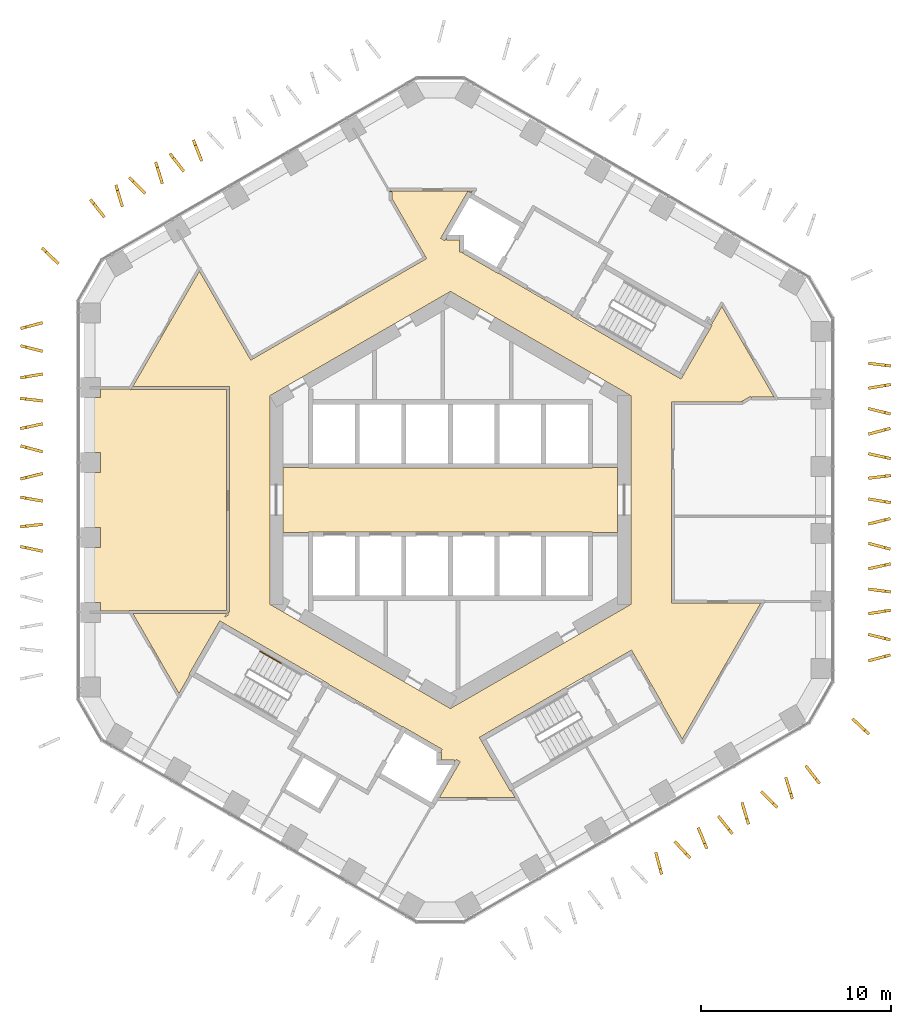
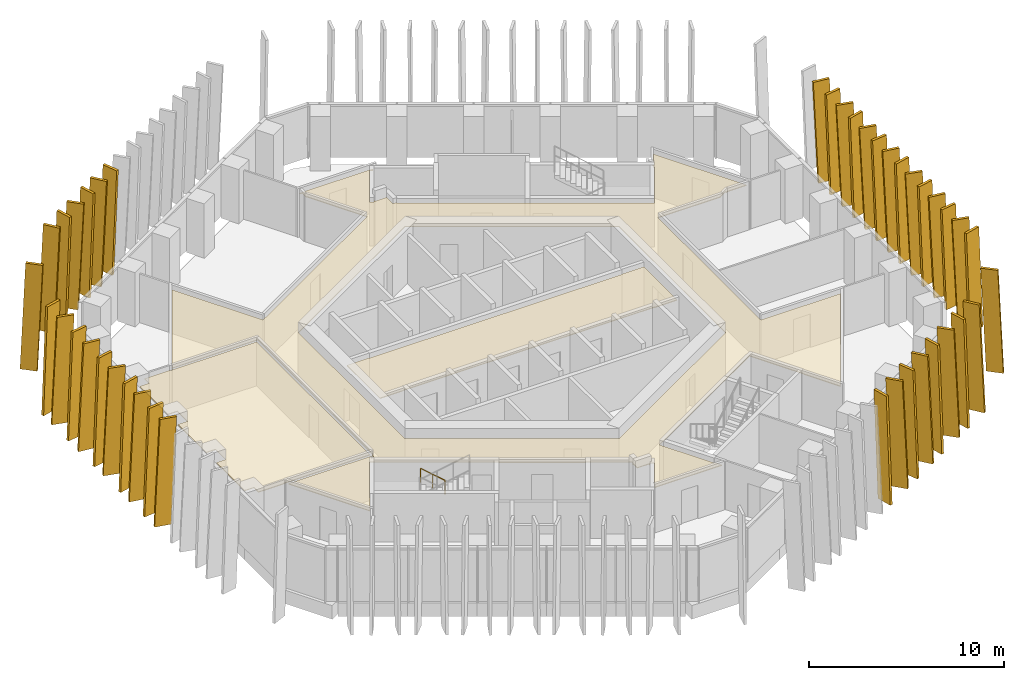
# One storey, part 18 of 19: 40 shading devices, 3 coverings, 1 railing.
"""IFC4 building model written with IfcOpenShell, lengths in metres."""

import ifcopenshell
import ifcopenshell.guid

model = None  # the IFC model being written
_history = None  # IfcOwnerHistory: only IFC2X3 demands one
_inside = {}  # id of a spatial element -> (the spatial element, [elements in it])
_under = {}  # id of a project, library or spatial element -> (it, [spatial elements below it])
_declared = {}  # id of a project -> (the project, [libraries it declares])
_typed = {}  # id of a type object -> (the type object, [elements of that type])
_made_of = {}  # id of a material, layer set ... -> (it, [elements and type objects made of it])


def new_model(schema):
    """Start an empty IFC model of exactly this schema.

    Asked for "IFC4X3", IfcOpenShell would pick the latest addendum, in which some entities
    have other attributes; the version numbers below select the first issue.
    IFC2X3 requires an IfcOwnerHistory on every rooted entity: one is made here for all.
    """
    global model, _history
    if schema == "IFC4X3":
        model = ifcopenshell.file(schema_version=(4, 3, 0, 0))
    else:
        model = ifcopenshell.file(schema=schema)
    _inside.clear()
    _under.clear()
    _declared.clear()
    _typed.clear()
    _made_of.clear()
    _history = None
    if model.schema == "IFC2X3":
        org = make("IfcOrganization", Name="unknown")
        user = make(
            "IfcPersonAndOrganization",
            ThePerson=make("IfcPerson", FamilyName="unknown"),
            TheOrganization=org,
        )
        app = make(
            "IfcApplication",
            ApplicationDeveloper=org,
            Version="unknown",
            ApplicationFullName="unknown",
            ApplicationIdentifier="unknown",
        )
        _history = make(
            "IfcOwnerHistory",
            OwningUser=user,
            OwningApplication=app,
            ChangeAction="ADDED",
            CreationDate=0,
        )
    return model


def make(cls, **values):
    """One entity of the class cls with the attributes given. An attribute that is None is left unset."""
    return model.create_entity(
        cls, **{name: value for name, value in values.items() if value is not None}
    )


def rooted(cls, **values):
    """An entity with a GlobalId (a new one), such as an element, a storey or a relation."""
    return make(cls, GlobalId=ifcopenshell.guid.new(), OwnerHistory=_history, **values)


def si_unit(unit_type, name, prefix=None):
    """IfcSIUnit, for example si_unit("LENGTHUNIT", "METRE", prefix="MILLI")."""
    return make("IfcSIUnit", UnitType=unit_type, Prefix=prefix, Name=name)


def assignment(units):
    """IfcUnitAssignment: the units of a project."""
    return None if units is None else make("IfcUnitAssignment", Units=units)


def point(xyz):
    """IfcCartesianPoint."""
    return None if xyz is None else make("IfcCartesianPoint", Coordinates=xyz)


def direction(xyz):
    """IfcDirection."""
    return None if xyz is None else make("IfcDirection", DirectionRatios=xyz)


def frame(location, z_axis=None, x_axis=None):
    """IfcAxis2Placement3D, a coordinate frame: its origin and axes. An axis left out is left unset."""
    return make(
        "IfcAxis2Placement3D",
        Location=point(location),
        Axis=direction(z_axis),
        RefDirection=direction(x_axis),
    )


def frame_2d(location, x_axis=None):
    """IfcAxis2Placement2D, a coordinate frame in the plane: its origin and x axis."""
    return make(
        "IfcAxis2Placement2D", Location=point(location), RefDirection=direction(x_axis)
    )


def origin():
    """The frame at (0, 0, 0) with its axes left unset."""
    return frame((0.0, 0.0, 0.0))


def origin_2d():
    """The frame at (0, 0) in the plane with its x axis left unset."""
    return frame_2d((0.0, 0.0))


def place(relative_to, where):
    """IfcLocalPlacement: puts the frame where relative to a parent placement (None: the world)."""
    return make(
        "IfcLocalPlacement", PlacementRelTo=relative_to, RelativePlacement=where
    )


def context(
    kind, dimensions, precision=None, world=None, true_north=None, identifier=None
):
    """IfcGeometricRepresentationContext, for example the 3D "Model" context."""
    return make(
        "IfcGeometricRepresentationContext",
        ContextIdentifier=identifier,
        ContextType=kind,
        CoordinateSpaceDimension=dimensions,
        Precision=precision,
        WorldCoordinateSystem=world,
        TrueNorth=true_north,
    )


def subcontext(parent, identifier, kind, view, scale=None):
    """IfcGeometricRepresentationSubContext, for example "Body" below "Model"."""
    return make(
        "IfcGeometricRepresentationSubContext",
        ContextIdentifier=identifier,
        ContextType=kind,
        ParentContext=parent,
        TargetScale=scale,
        TargetView=view,
    )


def project(units=None, contexts=None):
    """IfcProject with its units and contexts."""
    return rooted(
        "IfcProject",
        Name="project",
        RepresentationContexts=contexts,
        UnitsInContext=assignment(units),
    )


def spatial(cls, under=None, at=None, **own):
    """A site, building, storey or space (cls), placed at a placement, below another one or the project."""
    s = rooted(cls, ObjectPlacement=at, **own)
    if under is not None:
        _under.setdefault(under.id(), (under, []))[1].append(s)
    return s


def polyline(points):
    """IfcPolyline through the points."""
    return make("IfcPolyline", Points=[point(p) for p in points])


def profile(cls, at=None, kind="AREA", **sizes):
    """A parametric profile (cls). Its sizes go by their IFC names, for example OverallWidth=200.0."""
    return make(cls, ProfileType=kind, Position=at, **sizes)


def circle(**sizes):
    """IfcCircleProfileDef."""
    return profile("IfcCircleProfileDef", **sizes)


def outline(outer, holes=None, kind="AREA"):
    """IfcArbitraryClosedProfileDef: a profile drawn as a closed curve; with holes, ...WithVoids."""
    if holes is None:
        return make("IfcArbitraryClosedProfileDef", ProfileType=kind, OuterCurve=outer)
    return make(
        "IfcArbitraryProfileDefWithVoids",
        ProfileType=kind,
        OuterCurve=outer,
        InnerCurves=holes,
    )


def extrude(swept, where, along, depth):
    """IfcExtrudedAreaSolid: the profile swept, set in the frame where, extruded along a direction by depth."""
    return make(
        "IfcExtrudedAreaSolid",
        SweptArea=swept,
        Position=where,
        ExtrudedDirection=direction(along),
        Depth=depth,
    )


def shape(context_of_items, identifier, shape_type, items):
    """IfcShapeRepresentation: the items that make up one representation, for example the "Body"."""
    return make(
        "IfcShapeRepresentation",
        ContextOfItems=context_of_items,
        RepresentationIdentifier=identifier,
        RepresentationType=shape_type,
        Items=items,
    )


def material(Name=None, Category=None):
    """IfcMaterial."""
    return make("IfcMaterial", Name=Name, Category=Category)


def layer(
    of_material, thickness, ventilated=None, Name=None, Category=None, Priority=None
):
    """IfcMaterialLayer: one layer of a wall or slab, of a material (None: an air gap)."""
    return make(
        "IfcMaterialLayer",
        Material=of_material,
        LayerThickness=thickness,
        IsVentilated=ventilated,
        Name=Name,
        Category=Category,
        Priority=Priority,
    )


def layer_set(layers, Name=None):
    """IfcMaterialLayerSet."""
    return make("IfcMaterialLayerSet", MaterialLayers=layers, LayerSetName=Name)


def made_of(thing, what):
    """Note that an element or type object is made of a material, layer set ...; save() writes the relation."""
    if what is not None:
        _made_of.setdefault(what.id(), (what, []))[1].append(thing)
    return thing


def type_object(cls, material=None, **own):
    """A type object (cls), such as IfcWallType, which elements share."""
    return made_of(rooted(cls, **own), material)


def element(
    cls,
    number,
    at=None,
    inside=None,
    cuts=None,
    type_object=None,
    material=None,
    context=None,
    identifier="Body",
    shape_type=None,
    held_by="IfcProductDefinitionShape",
    body=None,
    shapes=None,
    **own,
):
    """One element of the class cls, such as IfcWall. Its Tag is "e" and its number.

    at: its placement. inside: the storey or other place that contains it. cuts: it is an
    opening in that element (IfcRelVoidsElement). A single representation is given by context,
    identifier, shape_type and body (its items); several are given by shapes. held_by: the class
    of the entity that holds the representations. save() writes the other relations.
    """
    e = rooted(cls, Tag="e%d" % number, ObjectPlacement=at, **own)
    if body is not None:
        shapes = [shape(context, identifier, shape_type, body)]
    if shapes is not None:
        e.Representation = make(held_by, Representations=shapes)
    if inside is not None:
        _inside.setdefault(inside.id(), (inside, []))[1].append(e)
    if cuts is not None:
        rooted(
            "IfcRelVoidsElement", RelatingBuildingElement=cuts, RelatedOpeningElement=e
        )
    if type_object is not None:
        _typed.setdefault(type_object.id(), (type_object, []))[1].append(e)
    return made_of(e, material)


def aggregate(whole, parts):
    """IfcRelAggregates: a whole, such as a stair, and the parts it consists of."""
    return rooted("IfcRelAggregates", RelatingObject=whole, RelatedObjects=parts)


def save(model, path):
    """Write the relations noted so far, then the file.

    IfcRelAggregates (storeys below a building ...), IfcRelContainedInSpatialStructure (elements
    in a storey), IfcRelDefinesByType, IfcRelAssociatesMaterial and IfcRelDeclares: one each for
    every whole, place, type object, material and project.
    """
    for whole, parts in _under.values():
        aggregate(whole, parts)
    for where, things in _inside.values():
        rooted(
            "IfcRelContainedInSpatialStructure",
            RelatedElements=things,
            RelatingStructure=where,
        )
    for kind, things in _typed.values():
        rooted("IfcRelDefinesByType", RelatedObjects=things, RelatingType=kind)
    for what, things in _made_of.values():
        rooted("IfcRelAssociatesMaterial", RelatedObjects=things, RelatingMaterial=what)
    for by, libraries in _declared.values():
        rooted("IfcRelDeclares", RelatingContext=by, RelatedDefinitions=libraries)
    model.write(path)


model = new_model("IFC4")

# Units and contexts
model_context = context("Model", 3, precision=1e-05, world=origin(), true_north=direction((0.0, 1.0)))
body_context = subcontext(model_context, "Body", "Model", "MODEL_VIEW")
ifc_project = project(units=[si_unit("LENGTHUNIT", "METRE"), si_unit("AREAUNIT", "SQUARE_METRE"), si_unit("VOLUMEUNIT", "CUBIC_METRE"), si_unit("PLANEANGLEUNIT", "RADIAN"), si_unit("MASSUNIT", "GRAM", prefix="KILO")], contexts=[model_context])

# Site, building, storey
site_placement = place(None, origin())
site = spatial("IfcSite", under=ifc_project, at=site_placement, CompositionType="ELEMENT")
building_placement = place(site_placement, origin())
building = spatial("IfcBuilding", under=site, at=building_placement, Name="Ayvan Gate Tower", CompositionType="ELEMENT")
storey_placement = place(building_placement, frame((0.0, 0.0, 113.699951171875)))
storey = spatial("IfcBuildingStorey", under=building, at=storey_placement, Name="L30", CompositionType="ELEMENT", Elevation=113.699951171875)

# Shading devices
ifc_material_1 = material(Name="Bronze anodised aluminium", Category="aluminium")
ifc_layer_1 = layer(ifc_material_1, 0.14990234375)
ifc_layer_set_1 = layer_set([ifc_layer_1], Name="Bronze anodised aluminium")
shading_device_type = type_object("IfcShadingDeviceType", Name="Bronze fin 900 x 150", PredefinedType="USERDEFINED", material=ifc_layer_set_1)
shading_device_1_placement = place(storey_placement, frame((-13.118896484375, 18.1298828125, 0.0), z_axis=(0.929826896968, 0.367997136612, 0.000221629973), x_axis=(-0.367997145642, 0.929826919808, -3.9013e-08)))
element("IfcShadingDevice", 1, at=shading_device_1_placement, inside=storey, type_object=shading_device_type, Name="Bronze fin FG10.1.10", ObjectType="FIN", PredefinedType="USERDEFINED", context=body_context, shape_type="SweptSolid", body=[
    extrude(outline(polyline([(0.0, 0.0), (0.9000124049296472, 0.0), (0.6039615673096571, 6.679931828245779), (-0.2959136721477816, 6.679931758027323), (0.0, 0.0)])), origin(), (0.0, 0.0, -1.0), 0.14990234375),
])
shading_device_2_placement = place(storey_placement, frame((-14.1435546875, 17.56298828125, 0.0), z_axis=(0.787610863897, 0.61617292142, 0.000240791258), x_axis=(-0.616172939282, 0.787610886731, -5.6e-09)))
element("IfcShadingDevice", 2, at=shading_device_2_placement, inside=storey, type_object=shading_device_type, Name="Bronze fin FG10.1.11", ObjectType="FIN", PredefinedType="USERDEFINED", context=body_context, shape_type="SweptSolid", body=[
    extrude(outline(polyline([(0.0, 0.0), (0.8998445188692354, 2.710505431213761e-20), (0.6041620162524697, 6.679931837660988), (-0.29602522327741343, 6.679931827580759), (0.0, 0.0)])), origin(), (0.0, 0.0, -1.0), 0.14990234375),
])
shading_device_3_placement = place(storey_placement, frame((-15.167724609375, 16.94091796875, 0.0), z_axis=(0.956042528227, 0.293227967943, 0.000207454841), x_axis=(-0.293227974254, 0.956042548799, 8.252e-09)))
element("IfcShadingDevice", 3, at=shading_device_3_placement, inside=storey, type_object=shading_device_type, Name="Bronze fin FG10.1.12", ObjectType="FIN", PredefinedType="USERDEFINED", context=body_context, shape_type="SweptSolid", body=[
    extrude(outline(polyline([(0.0, 0.0), (0.8999202593109712, -6.776263578034403e-21), (0.6041099756620816, 6.679931779383985), (-0.29604369247428014, 6.679931794237366), (0.0, 0.0)])), origin(), (0.0, 0.0, -1.0), 0.14990234375),
])
shading_device_4_placement = place(storey_placement, frame((-16.21044921875, 16.380859375, 0.0), z_axis=(0.707174576504, 0.707038946551, 0.000215423651), x_axis=(-0.70703896296, 0.70717459291, 2.066e-08)))
element("IfcShadingDevice", 4, at=shading_device_4_placement, inside=storey, type_object=shading_device_type, Name="Bronze fin FG10.1.13", ObjectType="FIN", PredefinedType="USERDEFINED", context=body_context, shape_type="SweptSolid", body=[
    extrude(outline(polyline([(0.0, 0.0), (0.9001110205447483, 0.0), (0.6042172230308939, 6.679931783140734), (-0.29572118057953806, 6.679931820330071), (0.0, 0.0)])), origin(), (0.0, 0.0, -1.0), 0.14990234375),
])
shading_device_5_placement = place(storey_placement, frame((-17.265869140625, 15.72900390625, 0.0), z_axis=(0.957527119022, 0.288343152272, 0.000207061657), x_axis=(-0.288343158453, 0.957527139549, 0.0)))
element("IfcShadingDevice", 5, at=shading_device_5_placement, inside=storey, type_object=shading_device_type, Name="Bronze fin FG10.1.14", ObjectType="FIN", PredefinedType="USERDEFINED", context=body_context, shape_type="SweptSolid", body=[
    extrude(outline(polyline([(0.0, 0.0), (0.900043842784266, 6.776263578034403e-21), (0.6041853020948018, 6.679931783824468), (-0.29585854068946416, 6.679931783824468), (0.0, 0.0)])), origin(), (0.0, 0.0, -1.0), 0.14990234375),
])
shading_device_6_placement = place(storey_placement, frame((-18.322998046875, 15.150390625, 0.0), z_axis=(0.784573624356, 0.620035621876, 0.000235729992), x_axis=(-0.620035639108, 0.784573646152, 2.5085e-08)))
element("IfcShadingDevice", 6, at=shading_device_6_placement, inside=storey, type_object=shading_device_type, Name="Bronze fin FG10.1.15", ObjectType="FIN", PredefinedType="USERDEFINED", context=body_context, shape_type="SweptSolid", body=[
    extrude(outline(polyline([(0.0, 0.0), (0.8999971815605226, -1.3552527156068805e-20), (0.6039928436375074, 6.679931811071054), (-0.2958529620345611, 6.679931856220464), (0.0, 0.0)])), origin(), (0.0, 0.0, -1.0), 0.14990234375),
])
shading_device_7_placement = place(storey_placement, frame((-20.779541015625, 12.687255859375, 0.0), z_axis=(0.690088532971, 0.723724923729, 0.000226796227), x_axis=(-0.723724942342, 0.690088550718, 0.0)))
element("IfcShadingDevice", 7, at=shading_device_7_placement, inside=storey, type_object=shading_device_type, Name="Bronze fin FG10.2.16", ObjectType="FIN", PredefinedType="USERDEFINED", context=body_context, shape_type="SweptSolid", body=[
    extrude(outline(polyline([(0.0, 0.0), (0.9000203660144157, 1.3552527156068805e-20), (0.6040788753360935, 6.6799318124212546), (-0.2959414906783222, 6.6799318124212546), (0.0, 0.0)])), origin(), (0.0, 0.0, -1.0), 0.14990234375),
])
shading_device_8_placement = place(storey_placement, frame((-21.75732421875, 9.32421875, 0.0), z_axis=(-0.256108798365, 0.966647932812, 0.000239561745), x_axis=(-0.96664796055, -0.256108805714, 0.0)))
element("IfcShadingDevice", 8, at=shading_device_8_placement, inside=storey, type_object=shading_device_type, Name="Bronze fin FG10.3.17", ObjectType="FIN", PredefinedType="USERDEFINED", context=body_context, shape_type="SweptSolid", body=[
    extrude(outline(polyline([(0.0, 0.0), (0.899886083016155, -6.776263578034403e-21), (0.6040523099052245, 6.679931832305079), (-0.29583377311093056, 6.679931832305079), (0.0, 0.0)])), origin(), (0.0, 0.0, -1.0), 0.14990234375),
])
shading_device_9_placement = place(storey_placement, frame((-21.7197265625, 7.97021484375, 0.0), z_axis=(0.242535618595, 0.97014247438, 0.000230471331), x_axis=(-0.970142500145, 0.242535625036, 0.0)))
element("IfcShadingDevice", 9, at=shading_device_9_placement, inside=storey, type_object=shading_device_type, Name="Bronze fin FG10.3.18", ObjectType="FIN", PredefinedType="USERDEFINED", context=body_context, shape_type="SweptSolid", body=[
    extrude(outline(polyline([(0.0, 0.0), (0.8999161204351046, 0.0), (0.6040889762257492, 6.679931818034086), (-0.29582714420935535, 6.679931818034086), (0.0, 0.0)])), origin(), (0.0, 0.0, -1.0), 0.14990234375),
])
shading_device_10_placement = place(storey_placement, frame((-21.75, 6.653564453125, 0.0), z_axis=(-0.170465466179, 0.985363625505, 0.000224437161), x_axis=(-0.985363650321, -0.170465470479, 2.999e-08)))
element("IfcShadingDevice", 10, at=shading_device_10_placement, inside=storey, type_object=shading_device_type, Name="Bronze fin FG10.3.19", ObjectType="FIN", PredefinedType="USERDEFINED", context=body_context, shape_type="SweptSolid", body=[
    extrude(outline(polyline([(0.0, 0.0), (0.9001584283565202, 0.0), (0.6043155814003325, 6.679931790742228), (-0.29580122940968384, 6.679931844733221), (0.0, 0.0)])), origin(), (0.0, 0.0, -1.0), 0.14990234375),
])
shading_device_11_placement = place(storey_placement, frame((-21.728271484375, 5.3193359375, 0.0), z_axis=(0.115550646329, 0.993301565392, 0.000219823874), x_axis=(-0.993301589392, 0.115550649121, 0.0)))
element("IfcShadingDevice", 11, at=shading_device_11_placement, inside=storey, type_object=shading_device_type, Name="Bronze fin FG10.3.20", ObjectType="FIN", PredefinedType="USERDEFINED", context=body_context, shape_type="SweptSolid", body=[
    extrude(outline(polyline([(0.0, 0.0), (0.9000720207219933, 0.0), (0.6042194311688532, 6.679931802020622), (-0.29585258955314003, 6.679931802020622), (0.0, 0.0)])), origin(), (0.0, 0.0, -1.0), 0.14990234375),
])
shading_device_12_placement = place(storey_placement, frame((-21.753173828125, 4.018798828125, 0.0), z_axis=(-0.208176652992, 0.978091219141, 0.000219516888), x_axis=(-0.978091242706, -0.208176658015, 2.9118e-08)))
element("IfcShadingDevice", 12, at=shading_device_12_placement, inside=storey, type_object=shading_device_type, Name="Bronze fin FG10.3.21", ObjectType="FIN", PredefinedType="USERDEFINED", context=body_context, shape_type="SweptSolid", body=[
    extrude(outline(polyline([(0.0, 0.0), (0.9001163805059821, 6.776263578034403e-21), (0.6041170780330612, 6.679931783979594), (-0.2959484780935227, 6.679931836396949), (0.0, 0.0)])), origin(), (0.0, 0.0, -1.0), 0.14990234375),
])
shading_device_13_placement = place(storey_placement, frame((-21.71875, 2.68701171875, 0.0), z_axis=(0.256168368827, 0.966632150872, 0.000227407047), x_axis=(-0.966632175864, 0.256168375457, -2.9809e-08)))
element("IfcShadingDevice", 13, at=shading_device_13_placement, inside=storey, type_object=shading_device_type, Name="Bronze fin FG10.3.22", ObjectType="FIN", PredefinedType="USERDEFINED", context=body_context, shape_type="SweptSolid", body=[
    extrude(outline(polyline([(0.0, 0.0), (0.9001846165982512, 0.0), (0.6042456917013309, 6.67993183135969), (-0.29587638378963094, 6.679931777694814), (0.0, 0.0)])), origin(), (0.0, 0.0, -1.0), 0.14990234375),
])
shading_device_14_placement = place(storey_placement, frame((-21.756103515625, 1.394775390625, 0.0), z_axis=(-0.242918563742, 0.970046659903, 0.00022136209), x_axis=(-0.970046683671, -0.242918569688, -2.9126e-08)))
element("IfcShadingDevice", 14, at=shading_device_14_placement, inside=storey, type_object=shading_device_type, Name="Bronze fin FG10.3.23", ObjectType="FIN", PredefinedType="USERDEFINED", context=body_context, shape_type="SweptSolid", body=[
    extrude(outline(polyline([(0.0, 0.0), (0.8999753566107359, 0.0), (0.6041486252491595, 6.679931821883468), (-0.2958860376530041, 6.679931769457043), (0.0, 0.0)])), origin(), (0.0, 0.0, -1.0), 0.14990234375),
])
shading_device_15_placement = place(storey_placement, frame((-21.724365234375, 0.067138671875, 0.0), z_axis=(0.172663269875, 0.984980884393, 0.000229381222), x_axis=(-0.984980910305, 0.172663274424, -3.0644e-08)))
element("IfcShadingDevice", 15, at=shading_device_15_placement, inside=storey, type_object=shading_device_type, Name="Bronze fin FG10.3.24", ObjectType="FIN", PredefinedType="USERDEFINED", context=body_context, shape_type="SweptSolid", body=[
    extrude(outline(polyline([(0.0, 0.0), (0.9000127419739713, -6.776263578034403e-21), (0.6040219383306628, 6.679931834869517), (-0.295948649523576, 6.679931779710622), (0.0, 0.0)])), origin(), (0.0, 0.0, -1.0), 0.14990234375),
])
shading_device_16_placement = place(storey_placement, frame((-21.745361328125, -1.233154296875, 0.0), z_axis=(-0.112039216661, 0.993703754551, 0.000249240588), x_axis=(-0.993703785416, -0.112039220141, 0.0)))
element("IfcShadingDevice", 16, at=shading_device_16_placement, inside=storey, type_object=shading_device_type, Name="Bronze fin FG10.3.25", ObjectType="FIN", PredefinedType="USERDEFINED", context=body_context, shape_type="SweptSolid", body=[
    extrude(outline(polyline([(0.0, 0.0), (0.8999534091546, 0.0), (0.6040876570001728, 6.6799318481065955), (-0.29586575215442734, 6.6799318481065955), (0.0, 0.0)])), origin(), (0.0, 0.0, -1.0), 0.14990234375),
])
shading_device_17_placement = place(storey_placement, frame((-21.72216796875, -2.5595703125, 0.0), z_axis=(0.205600359654, 0.978636012705, 0.000216211288), x_axis=(-0.978636035579, 0.205600364459, 0.0)))
element("IfcShadingDevice", 17, at=shading_device_17_placement, inside=storey, type_object=shading_device_type, Name="Bronze fin FG10.3.26", ObjectType="FIN", PredefinedType="USERDEFINED", context=body_context, shape_type="SweptSolid", body=[
    extrude(outline(polyline([(0.0, 0.0), (0.9000888409741108, 6.776263578034403e-21), (0.6041631097488932, 6.67993179675946), (-0.2959257312252176, 6.67993179675946), (0.0, 0.0)])), origin(), (0.0, 0.0, -1.0), 0.14990234375),
])
shading_device_18_placement = place(storey_placement, frame((10.805419921875, -18.840087890625, 0.0), z_axis=(-0.965851092821, -0.259097694844, 0.00022588216), x_axis=(0.259097701454, -0.965851117461, 0.0)))
element("IfcShadingDevice", 18, at=shading_device_18_placement, inside=storey, type_object=shading_device_type, Name="Bronze fin FG10.7.56", ObjectType="FIN", PredefinedType="USERDEFINED", context=body_context, shape_type="SweptSolid", body=[
    extrude(outline(polyline([(0.0, 0.0), (0.8998701862917041, 0.0), (0.6040255569673671, 6.679931811039247), (-0.2958446293243369, 6.679931811039247), (0.0, 0.0)])), origin(), (0.0, 0.0, -1.0), 0.14990234375),
])
shading_device_19_placement = place(storey_placement, frame((11.942626953125, -18.224609375, 0.0), z_axis=(-0.733845807375, -0.679316044979, 0.000205018527), x_axis=(0.679316059255, -0.733845822798, 0.0)))
element("IfcShadingDevice", 19, at=shading_device_19_placement, inside=storey, type_object=shading_device_type, Name="Bronze fin FG10.7.57", ObjectType="FIN", PredefinedType="USERDEFINED", context=body_context, shape_type="SweptSolid", body=[
    extrude(outline(polyline([(0.0, 0.0), (0.8999170808211545, -1.3552527156068805e-20), (0.6040957496960158, 6.679931781012441), (-0.29582133112513875, 6.679931781012441), (0.0, 0.0)])), origin(), (0.0, 0.0, -1.0), 0.14990234375),
])
shading_device_20_placement = place(storey_placement, frame((13.076904296875, -17.538330078125, 0.0), z_axis=(-0.925624698357, -0.378442688807, 0.000221541386), x_axis=(0.378442698094, -0.925624721072, 0.0)))
element("IfcShadingDevice", 20, at=shading_device_20_placement, inside=storey, type_object=shading_device_type, Name="Bronze fin FG10.7.58", ObjectType="FIN", PredefinedType="USERDEFINED", context=body_context, shape_type="SweptSolid", body=[
    extrude(outline(polyline([(0.0, 0.0), (0.8999411894868824, 0.0), (0.604082613138899, 6.679931804552485), (-0.29585857634798335, 6.679931804552485), (0.0, 0.0)])), origin(), (0.0, 0.0, -1.0), 0.14990234375),
])
shading_device_21_placement = place(storey_placement, frame((14.21484375, -16.90625, 0.0), z_axis=(-0.780180210518, -0.62555478632, 0.000220063897), x_axis=(0.625554801467, -0.78018022941, 0.0)))
element("IfcShadingDevice", 21, at=shading_device_21_placement, inside=storey, type_object=shading_device_type, Name="Bronze fin FG10.7.59", ObjectType="FIN", PredefinedType="USERDEFINED", context=body_context, shape_type="SweptSolid", body=[
    extrude(outline(polyline([(0.0, 0.0), (0.8999823515539183, 1.3552527156068805e-20), (0.6038789486620193, 6.679931802373267), (-0.296103402891899, 6.679931802373267), (0.0, 0.0)])), origin(), (0.0, 0.0, -1.0), 0.14990234375),
])
shading_device_22_placement = place(storey_placement, frame((15.3515625, -16.21728515625, 0.0), z_axis=(-0.958265573905, -0.285879398499, 0.000243684271), x_axis=(0.285879406987, -0.958265602357, 0.0)))
element("IfcShadingDevice", 22, at=shading_device_22_placement, inside=storey, type_object=shading_device_type, Name="Bronze fin FG10.7.60", ObjectType="FIN", PredefinedType="USERDEFINED", context=body_context, shape_type="SweptSolid", body=[
    extrude(outline(polyline([(0.0, 0.0), (0.9001145674052323, 6.776263578034403e-21), (0.6042986753356876, 6.6799318389589395), (-0.2958158920695448, 6.6799318389589395), (0.0, 0.0)])), origin(), (0.0, 0.0, -1.0), 0.14990234375),
])
shading_device_23_placement = place(storey_placement, frame((16.499755859375, -15.59716796875, 0.0), z_axis=(-0.707174576504, -0.707038946551, 0.000215423651), x_axis=(0.70703896296, -0.70717459291, 2.066e-08)))
element("IfcShadingDevice", 23, at=shading_device_23_placement, inside=storey, type_object=shading_device_type, Name="Bronze fin FG10.7.61", ObjectType="FIN", PredefinedType="USERDEFINED", context=body_context, shape_type="SweptSolid", body=[
    extrude(outline(polyline([(0.0, 0.0), (0.9001110205447483, 0.0), (0.6042172230308939, 6.679931783140734), (-0.29572118057953806, 6.679931820330071), (0.0, 0.0)])), origin(), (0.0, 0.0, -1.0), 0.14990234375),
])
shading_device_24_placement = place(storey_placement, frame((17.65283203125, -14.889404296875, 0.0), z_axis=(-0.955373389087, -0.295400800885, 0.000232940904), x_axis=(0.295400808899, -0.955373415007, 0.0)))
element("IfcShadingDevice", 24, at=shading_device_24_placement, inside=storey, type_object=shading_device_type, Name="Bronze fin FG10.7.62", ObjectType="FIN", PredefinedType="USERDEFINED", context=body_context, shape_type="SweptSolid", body=[
    extrude(outline(polyline([(0.0, 0.0), (0.9000284786486996, -6.776263578034403e-21), (0.6040777349620851, 6.679931821856445), (-0.29595074368661445, 6.679931821856445), (0.0, 0.0)])), origin(), (0.0, 0.0, -1.0), 0.14990234375),
])
shading_device_25_placement = place(storey_placement, frame((18.80810546875, -14.252685546875, 0.0), z_axis=(-0.791174599637, -0.611590308548, 0.000217666728), x_axis=(0.611590323036, -0.79117461838, -5.303e-09)))
element("IfcShadingDevice", 25, at=shading_device_25_placement, inside=storey, type_object=shading_device_type, Name="Bronze fin FG10.7.63", ObjectType="FIN", PredefinedType="USERDEFINED", context=body_context, shape_type="SweptSolid", body=[
    extrude(outline(polyline([(0.0, 0.0), (0.8998021912400371, -1.3552527156068805e-20), (0.6040891527312422, 6.679931802072092), (-0.2960555104183202, 6.679931792526935), (0.0, 0.0)])), origin(), (0.0, 0.0, -1.0), 0.14990234375),
])
shading_device_26_placement = place(storey_placement, frame((21.313720703125, -11.762451171875, 0.0), z_axis=(-0.685982077845, -0.727618396133, 0.000241835051), x_axis=(0.727618417414, -0.685982097901, 2.2497e-08)))
element("IfcShadingDevice", 26, at=shading_device_26_placement, inside=storey, type_object=shading_device_type, Name="Bronze fin FG10.8.64", ObjectType="FIN", PredefinedType="USERDEFINED", context=body_context, shape_type="SweptSolid", body=[
    extrude(outline(polyline([(0.0, 0.0), (0.9001584324980663, -1.3552527156068805e-20), (0.6041795715172394, 6.400146657936526), (-0.29580121976563795, 6.40014669843412), (0.0, 0.0)])), origin(), (0.0, 0.0, -1.0), 0.14990234375),
])
shading_device_27_placement = place(storey_placement, frame((22.29150390625, -8.45556640625, 0.0), z_axis=(0.257569780941, -0.966259673209, 0.000227761328), x_axis=(0.966259698274, 0.257569787615, -2.9851e-08)))
element("IfcShadingDevice", 27, at=shading_device_27_placement, inside=storey, type_object=shading_device_type, Name="Bronze fin FG10.9.65", ObjectType="FIN", PredefinedType="USERDEFINED", context=body_context, shape_type="SweptSolid", body=[
    extrude(outline(polyline([(0.0, 0.0), (0.8999635677972461, 0.0), (0.6040065942549261, 6.400146668409725), (-0.2960198567912494, 6.400146614678212), (0.0, 0.0)])), origin(), (0.0, 0.0, -1.0), 0.14990234375),
])
shading_device_28_placement = place(storey_placement, frame((22.254150390625, -7.21533203125, 0.0), z_axis=(-0.237043583989, -0.971498990673, 0.000224526015), x_axis=(0.97149901516, -0.237043589964, 0.0)))
element("IfcShadingDevice", 28, at=shading_device_28_placement, inside=storey, type_object=shading_device_type, Name="Bronze fin FG10.9.66", ObjectType="FIN", PredefinedType="USERDEFINED", context=body_context, shape_type="SweptSolid", body=[
    extrude(outline(polyline([(0.0, 0.0), (0.9001673754716538, 0.0), (0.604284413145558, 6.40014664569688), (-0.2958829623260958, 6.40014664569688), (0.0, 0.0)])), origin(), (0.0, 0.0, -1.0), 0.14990234375),
])
shading_device_29_placement = place(storey_placement, frame((22.283203125, -6.01123046875, 0.0), z_axis=(0.158699342445, -0.98732693475, 0.000206459118), x_axis=(0.987326955792, 0.158699345826, -4.444e-09)))
element("IfcShadingDevice", 29, at=shading_device_29_placement, inside=storey, type_object=shading_device_type, Name="Bronze fin FG10.9.67", ObjectType="FIN", PredefinedType="USERDEFINED", context=body_context, shape_type="SweptSolid", body=[
    extrude(outline(polyline([(0.0, 0.0), (0.9000754971661992, 6.776263578034403e-21), (0.6040563108382614, 6.400146623463519), (-0.2957781397078712, 6.400146615465341), (0.0, 0.0)])), origin(), (0.0, 0.0, -1.0), 0.14990234375),
])
shading_device_30_placement = place(storey_placement, frame((22.261474609375, -4.798583984375, 0.0), z_axis=(-0.128573785713, -0.991699916809, 0.000237965664), x_axis=(0.991699944888, -0.128573789354, 0.0)))
element("IfcShadingDevice", 30, at=shading_device_30_placement, inside=storey, type_object=shading_device_type, Name="Bronze fin FG10.9.68", ObjectType="FIN", PredefinedType="USERDEFINED", context=body_context, shape_type="SweptSolid", body=[
    extrude(outline(polyline([(0.0, 0.0), (0.9000485777990384, 0.0), (0.6041841765085084, 6.40014666558766), (-0.2958644012905298, 6.40014666558766), (0.0, 0.0)])), origin(), (0.0, 0.0, -1.0), 0.14990234375),
])
shading_device_31_placement = place(storey_placement, frame((22.2880859375, -3.62890625, 0.0), z_axis=(0.216729400963, -0.976231682183, 0.000263552527), x_axis=(0.976231716088, 0.21672940849, 0.0)))
element("IfcShadingDevice", 31, at=shading_device_31_placement, inside=storey, type_object=shading_device_type, Name="Bronze fin FG10.9.69", ObjectType="FIN", PredefinedType="USERDEFINED", context=body_context, shape_type="SweptSolid", body=[
    extrude(outline(polyline([(0.0, 0.0), (0.9000548690388707, 0.0), (0.6040789627553279, 6.4001467066518885), (-0.2959759062835427, 6.4001467066518885), (0.0, 0.0)])), origin(), (0.0, 0.0, -1.0), 0.14990234375),
])
shading_device_32_placement = place(storey_placement, frame((22.2529296875, -2.4267578125, 0.0), z_axis=(-0.257983434155, -0.966149317291, 0.000210713586), x_axis=(0.966149338739, -0.257983439884, -7.374e-09)))
element("IfcShadingDevice", 32, at=shading_device_32_placement, inside=storey, type_object=shading_device_type, Name="Bronze fin FG10.9.70", ObjectType="FIN", PredefinedType="USERDEFINED", context=body_context, shape_type="SweptSolid", body=[
    extrude(outline(polyline([(0.0, 0.0), (0.8998535269968058, -6.776263578034403e-21), (0.6040850933574112, 6.400146630913669), (-0.2960043099427974, 6.400146617640296), (0.0, 0.0)])), origin(), (0.0, 0.0, -1.0), 0.14990234375),
])
shading_device_33_placement = place(storey_placement, frame((22.289794921875, -1.2646484375, 0.0), z_axis=(0.237873944181, -0.971296002407, 0.000249777132), x_axis=(0.971296032706, 0.237873951601, 0.0)))
element("IfcShadingDevice", 33, at=shading_device_33_placement, inside=storey, type_object=shading_device_type, Name="Bronze fin FG10.9.71", ObjectType="FIN", PredefinedType="USERDEFINED", context=body_context, shape_type="SweptSolid", body=[
    extrude(outline(polyline([(0.0, 0.0), (0.9001041378596171, 0.0), (0.6041474784574106, 6.400146684023148), (-0.29595665940220656, 6.400146684023148), (0.0, 0.0)])), origin(), (0.0, 0.0, -1.0), 0.14990234375),
])
shading_device_34_placement = place(storey_placement, frame((22.259033203125, -0.0673828125, 0.0), z_axis=(-0.163563183701, -0.986532834365, 0.00022728426), x_axis=(0.986532859846, -0.163563187926, 0.0)))
element("IfcShadingDevice", 34, at=shading_device_34_placement, inside=storey, type_object=shading_device_type, Name="Bronze fin FG10.9.72", ObjectType="FIN", PredefinedType="USERDEFINED", context=body_context, shape_type="SweptSolid", body=[
    extrude(outline(polyline([(0.0, 0.0), (0.9000606966744293, 0.0), (0.6043363009242438, 6.400146649684823), (-0.2957243957501855, 6.400146649684823), (0.0, 0.0)])), origin(), (0.0, 0.0, -1.0), 0.14990234375),
])
shading_device_35_placement = place(storey_placement, frame((22.2802734375, 1.10302734375, 0.0), z_axis=(0.121797530802, -0.992554933637, 0.000255349283), x_axis=(0.992554965996, 0.121797534772, 0.0)))
element("IfcShadingDevice", 35, at=shading_device_35_placement, inside=storey, type_object=shading_device_type, Name="Bronze fin FG10.9.73", ObjectType="FIN", PredefinedType="USERDEFINED", context=body_context, shape_type="SweptSolid", body=[
    extrude(outline(polyline([(0.0, 0.0), (0.9000111605693982, -6.776263578034403e-21), (0.6040615435132166, 6.400146693030207), (-0.2959496170561816, 6.400146693030207), (0.0, 0.0)])), origin(), (0.0, 0.0, -1.0), 0.14990234375),
])
shading_device_36_placement = place(storey_placement, frame((22.255859375, 2.2998046875, 0.0), z_axis=(-0.21215930656, -0.977235066788, 0.000229958532), x_axis=(0.977235092626, -0.212159312169, 0.0)))
element("IfcShadingDevice", 36, at=shading_device_36_placement, inside=storey, type_object=shading_device_type, Name="Bronze fin FG10.9.74", ObjectType="FIN", PredefinedType="USERDEFINED", context=body_context, shape_type="SweptSolid", body=[
    extrude(outline(polyline([(0.0, 0.0), (0.8998802211316977, 6.776263578034403e-21), (0.6040142509956758, 6.400146653597844), (-0.2958659701360219, 6.400146653597844), (0.0, 0.0)])), origin(), (0.0, 0.0, -1.0), 0.14990234375),
])
shading_device_37_placement = place(storey_placement, frame((22.29150390625, 3.46435546875, 0.0), z_axis=(0.257029434529, -0.96640354671, 0.000233863378), x_axis=(0.966403573139, 0.257029441552, -2.2505e-08)))
element("IfcShadingDevice", 37, at=shading_device_37_placement, inside=storey, type_object=shading_device_type, Name="Bronze fin FG10.9.75", ObjectType="FIN", PredefinedType="USERDEFINED", context=body_context, shape_type="SweptSolid", body=[
    extrude(outline(polyline([(0.0, 0.0), (0.8998379903979976, 6.776263578034403e-21), (0.6041789187753358, 6.400146672990851), (-0.2959577613235141, 6.400146632482022), (0.0, 0.0)])), origin(), (0.0, 0.0, -1.0), 0.14990234375),
])
shading_device_38_placement = place(storey_placement, frame((22.25390625, 4.666015625, 0.0), z_axis=(-0.240875811641, -0.970555916726, 0.000236375529), x_axis=(0.970555943841, -0.240875818371, 0.0)))
element("IfcShadingDevice", 38, at=shading_device_38_placement, inside=storey, type_object=shading_device_type, Name="Bronze fin FG10.9.76", ObjectType="FIN", PredefinedType="USERDEFINED", context=body_context, shape_type="SweptSolid", body=[
    extrude(outline(polyline([(0.0, 0.0), (0.9000358627379677, 0.0), (0.6040924477264612, 6.400146663173951), (-0.29594341501150634, 6.400146663173951), (0.0, 0.0)])), origin(), (0.0, 0.0, -1.0), 0.14990234375),
])
shading_device_39_placement = place(storey_placement, frame((22.283935546875, 5.850341796875, 0.0), z_axis=(0.167917135464, -0.985801082839, 0.00024635375), x_axis=(0.985801112754, 0.16791714056, 0.0)))
element("IfcShadingDevice", 39, at=shading_device_39_placement, inside=storey, type_object=shading_device_type, Name="Bronze fin FG10.9.77", ObjectType="FIN", PredefinedType="USERDEFINED", context=body_context, shape_type="SweptSolid", body=[
    extrude(outline(polyline([(0.0, 0.0), (0.8999858285529956, 0.0), (0.6043041863579705, 6.400146678587999), (-0.29568164219502513, 6.400146678587999), (0.0, 0.0)])), origin(), (0.0, 0.0, -1.0), 0.14990234375),
])
shading_device_40_placement = place(storey_placement, frame((22.26220703125, 7.082275390625, 0.0), z_axis=(-0.120177432083, -0.992752398887, 0.000243562943), x_axis=(0.992752428333, -0.120177435648, -3.971e-09)))
element("IfcShadingDevice", 40, at=shading_device_40_placement, inside=storey, type_object=shading_device_type, Name="Bronze fin FG10.9.78", ObjectType="FIN", PredefinedType="USERDEFINED", context=body_context, shape_type="SweptSolid", body=[
    extrude(outline(polyline([(0.0, 0.0), (0.8998339207183877, -3.3881317890172014e-21), (0.6040440053936312, 6.400146676611217), (-0.2960322865230799, 6.40014666946407), (0.0, 0.0)])), origin(), (0.0, 0.0, -1.0), 0.14990234375),
])

# Coverings
ifc_material_2 = material(Name="Plasterboard suspended ceiling")
ifc_layer_2 = layer(ifc_material_2, 0.050048828125)
ifc_layer_set_2 = layer_set([ifc_layer_2], Name="Plasterboard suspended ceiling")
covering_type = type_object("IfcCoveringType", Name="CT-SUSP-50", PredefinedType="CEILING", material=ifc_layer_set_2)
covering_1_placement = place(storey_placement, frame((0.0, 0.0, 2.699951171875)))
element("IfcCovering", 41, at=covering_1_placement, inside=storey, type_object=covering_type, Name="Ceiling Lift Lobby L30", PredefinedType="CEILING", context=body_context, shape_type="SweptSolid", body=[
    extrude(outline(polyline([(7.47509765625, -1.675048828125), (-7.47509765625, -1.675048828125), (-7.47509765625, -1.699951171875), (-8.800048828125, -1.699951171875), (-8.800048828125, 1.699951171875), (-7.47509765625, 1.699951171875), (-7.47509765625, 1.675048828125), (7.47509765625, 1.675048828125), (7.47509765625, 1.699951171875), (8.800048828125, 1.699951171875), (8.800048828125, -1.699951171875), (7.47509765625, -1.699951171875), (7.47509765625, -1.675048828125)])), origin(), (0.0, 0.0, 1.0), 0.050048828125),
])
covering_2_placement = place(storey_placement, frame((0.0, 0.0, 2.699951171875)))
element("IfcCovering", 42, at=covering_2_placement, inside=storey, type_object=covering_type, Name="Ceiling Ring Corridor L30", PredefinedType="CEILING", context=body_context, shape_type="SweptSolid", body=[
    extrude(outline(polyline([(-11.914794921875, -6.48681640625), (-12.131103515625, -6.36181640625), (-13.756103515625, -9.17626953125), (-13.712890625, -9.201416015625), (-14.2763671875, -10.177490234375), (-16.705078125, -5.970703125), (-11.760986328125, -5.970703125), (-11.870849609375, -6.160888671875), (-11.699951171875, -6.062255859375), (-11.699951171875, -5.89599609375), (-11.625, -5.89599609375), (-11.625, 5.970703125), (-16.705078125, 5.970703125), (-13.202880859375, 12.036865234375), (-10.502685546875, 7.359619140625), (-10.39013671875, 7.4248046875), (-1.252197265625, 12.700439453125), (-1.3173828125, 12.81298828125), (-3.047607421875, 15.809814453125), (-3.074951171875, 15.794189453125), (-3.074951171875, 16.21240234375), (-3.193359375, 16.21240234375), (-3.216552734375, 16.25244140625), (-3.14990234375, 16.25244140625), (-3.14990234375, 16.25341796875), (1.15673828125, 16.25341796875), (1.092041015625, 16.1416015625), (0.918701171875, 16.241455078125), (-0.511474609375, 13.76416015625), (-0.294921875, 13.63916015625), (-0.215576171875, 13.776611328125), (-0.215576171875, 13.68505859375), (0.47509765625, 13.68505859375), (0.47509765625, 13.03857421875), (0.672119140625, 13.03857421875), (0.645751953125, 12.992919921875), (2.518310546875, 11.91162109375), (2.53076171875, 11.933349609375), (6.384521484375, 9.70849609375), (6.3720703125, 9.686767578125), (6.588623046875, 9.561767578125), (12.131103515625, 6.36181640625), (12.24609375, 6.56103515625), (13.631103515625, 8.959716796875), (13.756103515625, 9.176513671875), (13.681396484375, 9.219482421875), (13.7919921875, 9.283447265625), (13.744384765625, 9.365966796875), (13.7919921875, 9.33837890625), (14.2763671875, 10.177490234375), (17.025634765625, 5.415771484375), (15.825439453125, 5.415771484375), (15.825439453125, 5.360595703125), (15.77783203125, 5.443115234375), (15.3447265625, 5.193115234375), (15.360595703125, 5.165771484375), (11.625, 5.165771484375), (11.625, -5.415771484375), (16.3330078125, -5.415771484375), (12.197998046875, -12.577392578125), (11.102294921875, -10.6796875), (11.123779296875, -10.667236328125), (9.623779296875, -8.069091796875), (9.52392578125, -7.89599609375), (7.2939453125, -9.183349609375), (7.281494140625, -9.16162109375), (1.522216796875, -12.48681640625), (1.647216796875, -12.703369140625), (3.147216796875, -15.30126953125), (3.190673828125, -15.2763671875), (3.40771484375, -15.652587890625), (-0.578857421875, -15.652587890625), (0.511474609375, -13.76416015625), (0.294921875, -13.63916015625), (0.215576171875, -13.776611328125), (0.215576171875, -13.68505859375), (-0.47509765625, -13.68505859375), (-0.47509765625, -13.28857421875), (-0.52783203125, -13.28857421875), (-0.42919921875, -13.117919921875), (-2.284423828125, -12.046630859375), (-2.518310546875, -11.91162109375), (-2.53076171875, -11.933349609375), (-6.384521484375, -9.70849609375), (-6.3720703125, -9.686767578125), (-11.91455078125, -6.48681640625), (-11.914794921875, -6.48681640625)]), holes=[polyline([(9.5, 5.48486328125), (8.771728515625, 5.9052734375), (0.0, 10.9697265625), (-8.771728515625, 5.9052734375), (-9.5, 5.48486328125), (-9.5, -5.48486328125), (-8.771728515625, -5.9052734375), (0.0, -10.9697265625), (8.38720703125, -6.127197265625), (8.771728515625, -5.9052734375), (9.5, -5.48486328125), (9.5, 5.48486328125)])]), origin(), (0.0, 0.0, 1.0), 0.050048828125),
])
covering_3_placement = place(storey_placement, frame((0.0, 0.0, 2.699951171875)))
element("IfcCovering", 43, at=covering_3_placement, inside=storey, type_object=covering_type, Name="Ceiling Study Lounge L30", PredefinedType="CEILING", context=body_context, shape_type="SweptSolid", body=[
    extrude(outline(polyline([(-18.396728515625, -2.49365234375), (-18.396728515625, -1.443603515625), (-18.951416015625, -1.443603515625), (-18.951416015625, 1.443603515625), (-18.396728515625, 1.443603515625), (-18.396728515625, 2.49365234375), (-18.951416015625, 2.49365234375), (-18.951416015625, 5.381103515625), (-18.396728515625, 5.381103515625), (-18.396728515625, 5.845703125), (-16.898681640625, 5.845703125), (-16.8076171875, 5.793212890625), (-16.760009765625, 5.875732421875), (-16.760009765625, 5.82080078125), (-11.77490234375, 5.82080078125), (-11.77490234375, -5.82080078125), (-16.91015625, -5.82080078125), (-16.91015625, -5.845703125), (-18.396728515625, -5.845703125), (-18.396728515625, -5.381103515625), (-18.951416015625, -5.381103515625), (-18.951416015625, -2.49365234375), (-18.396728515625, -2.49365234375)])), origin(), (0.0, 0.0, 1.0), 0.050048828125),
])

# Railing
ifc_material_3 = material(Name="Stainless steel balustrade", Category="steel")
railing_type = type_object("IfcRailingType", Name="RL-HANDRAIL-900", PredefinedType="HANDRAIL", material=ifc_material_3)
railing_placement = place(storey_placement, frame((-8.92236328125, -8.583984375, 0.93505859375)))
element("IfcRailing", 44, at=railing_placement, inside=storey, type_object=railing_type, Name="L30 STS2 stair handrail 2", PredefinedType="HANDRAIL", context=body_context, shape_type="SweptSolid", body=[
    extrude(circle(Radius=0.02392578125, at=origin_2d()), frame((0.0, 0.0, 0.8759765625), z_axis=(-0.740229329464, 0.427507697325, 0.518939021976), x_axis=(-0.50011940292, -0.865956455501, 0.0)), (0.0, 0.0, 1.0), 1.473876953125),
    extrude(circle(Radius=0.02099609375, at=origin_2d()), origin(), (0.0, 0.0, 1.0), 0.851806640625),
    extrude(circle(Radius=0.02099609375, at=origin_2d()), frame((-0.54541015625, 0.31494140625, 0.38232421875)), (0.0, 0.0, 1.0), 0.851806640625),
    extrude(circle(Radius=0.02099609375, at=origin_2d()), frame((-1.091064453125, 0.630126953125, 0.764892578125)), (0.0, 0.0, 1.0), 0.851806640625),
])

save(model, "model.ifc")
